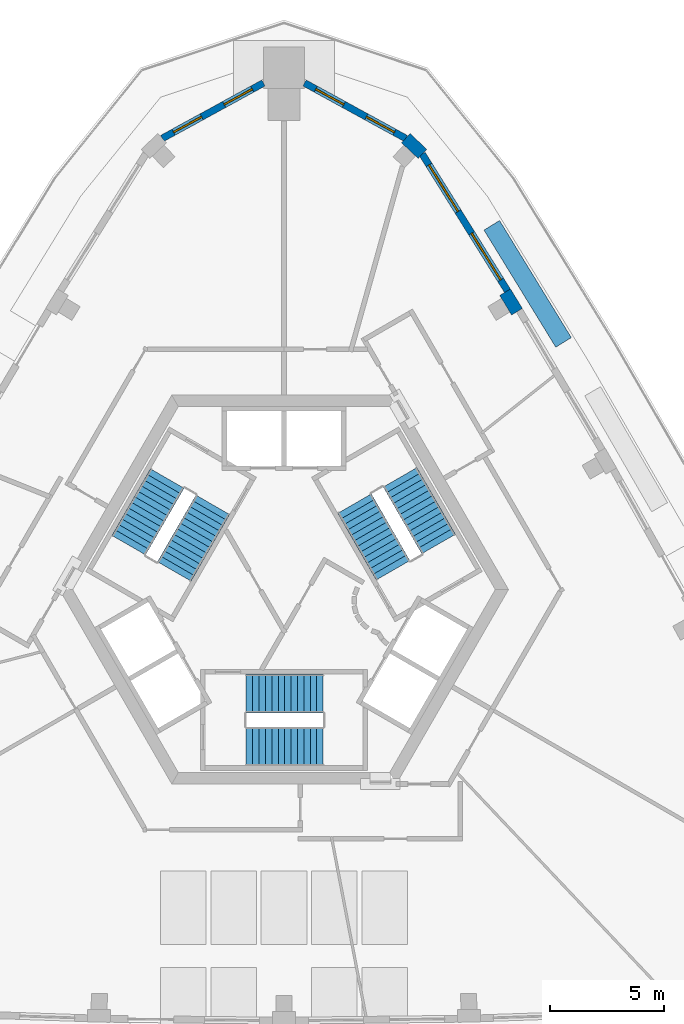
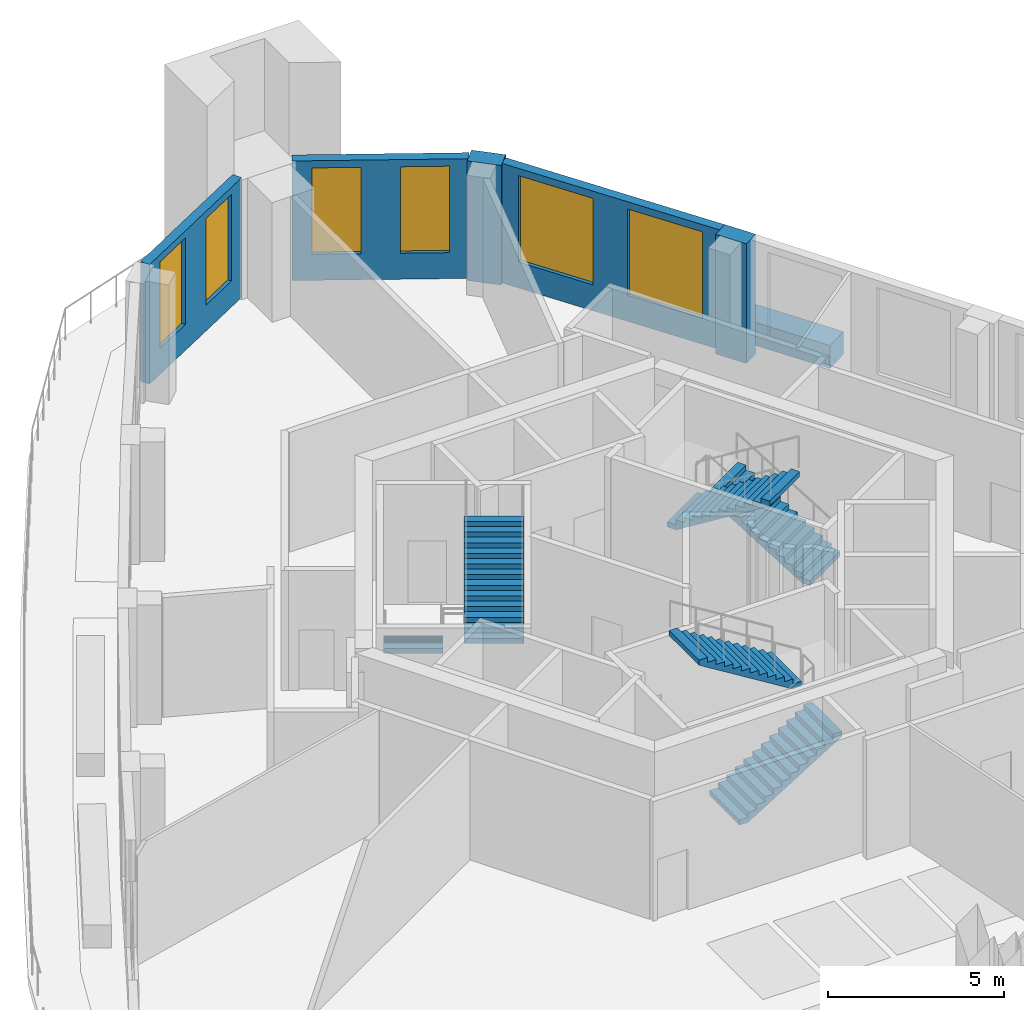
# One storey, part 6 of 9: 6 stair flights, 6 walls, 6 windows, 6 openings, 3 elements without a shape of their own.
"""IFC4 building model written with IfcOpenShell, lengths in metres."""

from ifc_helpers import new_model, si_unit, direction, frame, frame_2d, origin, place, context, subcontext, project, spatial, polyline, rectangle, outline, extrude, material, layer, layer_set, type_object, element, fill, aggregate, save


model = new_model("IFC4")

# Units and contexts
model_context = context("Model", 3, precision=1e-05, world=origin(), true_north=direction((0.0, 1.0)))
body_context = subcontext(model_context, "Body", "Model", "MODEL_VIEW")
ifc_project = project(units=[si_unit("LENGTHUNIT", "METRE"), si_unit("AREAUNIT", "SQUARE_METRE"), si_unit("VOLUMEUNIT", "CUBIC_METRE"), si_unit("PLANEANGLEUNIT", "RADIAN"), si_unit("MASSUNIT", "GRAM", prefix="KILO")], contexts=[model_context])

# Site, building, storey
site_placement = place(None, origin())
site = spatial("IfcSite", under=ifc_project, at=site_placement, CompositionType="ELEMENT")
building_placement = place(site_placement, origin())
building = spatial("IfcBuilding", under=site, at=building_placement, Name="Entoto Arch Interchange Tower", CompositionType="ELEMENT")
storey_placement = place(building_placement, frame((0.0, 0.0, 331.39990234375)))
storey = spatial("IfcBuildingStorey", under=building, at=storey_placement, Name="L78", CompositionType="ELEMENT", Elevation=331.39990234375)

# Wall
ifc_material_1 = material(Name="Board-marked precast concrete C50/60", Category="concrete")
ifc_layer_1 = layer(ifc_material_1, 0.800048828125)
ifc_layer_set_1 = layer_set([ifc_layer_1], Name="Board-marked precast concrete C50/60")
wall_type_1 = type_object("IfcWallType", Name="PLANTER RC 800 Vachellia abyssinica", PredefinedType="STANDARD", material=ifc_layer_set_1)
wall_1_placement = place(storey_placement, frame((12.221923828125, 13.306884765625, 0.0), z_axis=(0.0, 0.0, 1.0), x_axis=(-0.522728889832, 0.852498978143, 0.0)))
element("IfcWall", 1, at=wall_1_placement, inside=storey, type_object=wall_type_1, Name="Terrace planter NE-03 L78", PredefinedType="STANDARD", context=body_context, shape_type="SweptSolid", body=[
    extrude(rectangle(XDim=6.0048828125, YDim=0.800048828125, at=frame_2d((3.00244140625, 0.0))), origin(), (0.0, 0.0, 1.0), 0.800048828125),
])

# Wall, openings, windows
ifc_material_2 = material(Name="Welded tuff (ignimbrite) cladding, warm buff", Category="masonry")
ifc_layer_2 = layer(ifc_material_2, 0.300048828125)
ifc_layer_set_2 = layer_set([ifc_layer_2], Name="Welded tuff (ignimbrite) cladding, warm buff")
wall_type_2 = type_object("IfcWallType", Name="STONE INFILL WALL 300", PredefinedType="STANDARD", material=ifc_layer_set_2)
wall_2_placement = place(storey_placement, frame((9.76904296875, 15.56396484375, 0.0), z_axis=(0.0, 0.0, 1.0), x_axis=(-0.528920387505, 0.848671446251, 0.0)))
wall_2 = element("IfcWall", 2, at=wall_2_placement, inside=storey, type_object=wall_type_2, Name="Facade wall NE-04 L78", PredefinedType="STANDARD", context=body_context, shape_type="SweptSolid", body=[
    extrude(rectangle(XDim=7.042724609375, YDim=0.300048828125, at=frame_2d((3.521484375, 0.0))), origin(), (0.0, 0.0, 1.0), 4.150146484375),
])
opening_1_placement = place(wall_2_placement, frame((0.56103515625, 0.0, 0.89990234375)))
opening_1 = element("IfcOpeningElement", 3, at=opening_1_placement, cuts=wall_2, Name="Opening WK-A", PredefinedType="OPENING", context=body_context, shape_type="SweptSolid", body=[
    extrude(rectangle(XDim=2.39990234375, YDim=3.0, at=frame_2d((1.199951171875, 1.5))), frame((0.0, 0.16015625, 0.0), z_axis=(0.0, -1.0, 0.0), x_axis=(1.0, 0.0, 0.0)), (0.0, 0.0, 1.0), 0.320068359375),
])
opening_2_placement = place(wall_2_placement, frame((4.08203125, 0.0, 0.89990234375)))
opening_2 = element("IfcOpeningElement", 4, at=opening_2_placement, cuts=wall_2, Name="Opening WK-A", PredefinedType="OPENING", context=body_context, shape_type="SweptSolid", body=[
    extrude(rectangle(XDim=2.39990234375, YDim=3.0, at=frame_2d((1.199951171875, 1.5))), frame((0.0, 0.16015625, 0.0), z_axis=(0.0, -1.0, 0.0), x_axis=(1.0, 0.0, 0.0)), (0.0, 0.0, 1.0), 0.320068359375),
])
ifc_material_3 = material(Name="Clear glass, low-e double glazed", Category="glass")
window_type_1 = type_object("IfcWindowType", Name="WINDOW WK-A 2400x3000", PartitioningType="DOUBLE_PANEL_VERTICAL", PredefinedType="WINDOW", material=ifc_material_3)
window_1_placement = place(opening_1_placement, origin())
window_1 = element("IfcWindow", 5, at=window_1_placement, inside=storey, type_object=window_type_1, Name="Window WK-A NE-04 L78", OverallHeight=3.0, OverallWidth=2.39990234375, PartitioningType="SINGLE_PANEL", PredefinedType="WINDOW", context=body_context, shape_type="SweptSolid", body=[
    extrude(rectangle(XDim=2.39990234375, YDim=3.0, at=frame_2d((1.199951171875, 1.5))), frame((0.0, 0.030029296875, 0.0), z_axis=(0.0, -1.0, 0.0), x_axis=(1.0, 0.0, 0.0)), (0.0, 0.0, 1.0), 0.06005859375),
])
fill(opening_1, window_1)
window_2_placement = place(opening_2_placement, origin())
window_2 = element("IfcWindow", 6, at=window_2_placement, inside=storey, type_object=window_type_1, Name="Window WK-A NE-04 L78", OverallHeight=3.0, OverallWidth=2.39990234375, PartitioningType="SINGLE_PANEL", PredefinedType="WINDOW", context=body_context, shape_type="SweptSolid", body=[
    extrude(rectangle(XDim=2.39990234375, YDim=3.0, at=frame_2d((1.199951171875, 1.5))), frame((0.0, 0.030029296875, 0.0), z_axis=(0.0, -1.0, 0.0), x_axis=(1.0, 0.0, 0.0)), (0.0, 0.0, 1.0), 0.06005859375),
])
fill(opening_2, window_2)

wall_3_placement = place(storey_placement, frame((5.319091796875, 22.22705078125, 0.0), z_axis=(0.0, 0.0, 1.0), x_axis=(-0.877068569324, 0.480365199305, 0.0)))
wall_3 = element("IfcWall", 7, at=wall_3_placement, inside=storey, type_object=wall_type_2, Name="Facade wall N-01 L78", PredefinedType="STANDARD", context=body_context, shape_type="SweptSolid", body=[
    extrude(rectangle(XDim=5.039794921875, YDim=0.300048828125, at=frame_2d((2.52001953125, 0.0))), origin(), (0.0, 0.0, 1.0), 4.150146484375),
])
opening_3_placement = place(wall_3_placement, frame((0.56005859375, 0.0, 0.89990234375)))
opening_3 = element("IfcOpeningElement", 8, at=opening_3_placement, cuts=wall_3, Name="Opening WK-B", PredefinedType="OPENING", context=body_context, shape_type="SweptSolid", body=[
    extrude(rectangle(XDim=1.39990234375, YDim=3.0, at=frame_2d((0.699951171875, 1.5))), frame((0.0, 0.16015625, 0.0), z_axis=(0.0, -1.0, 0.0), x_axis=(1.0, 0.0, 0.0)), (0.0, 0.0, 1.0), 0.320068359375),
])
opening_4_placement = place(wall_3_placement, frame((3.080078125, 0.0, 0.89990234375)))
opening_4 = element("IfcOpeningElement", 9, at=opening_4_placement, cuts=wall_3, Name="Opening WK-B", PredefinedType="OPENING", context=body_context, shape_type="SweptSolid", body=[
    extrude(rectangle(XDim=1.39990234375, YDim=3.0, at=frame_2d((0.699951171875, 1.5))), frame((0.0, 0.16015625, 0.0), z_axis=(0.0, -1.0, 0.0), x_axis=(1.0, 0.0, 0.0)), (0.0, 0.0, 1.0), 0.320068359375),
])
window_type_2 = type_object("IfcWindowType", Name="WINDOW WK-B 1400x3000", PartitioningType="DOUBLE_PANEL_VERTICAL", PredefinedType="WINDOW", material=ifc_material_3)
window_3_placement = place(opening_3_placement, origin())
window_3 = element("IfcWindow", 10, at=window_3_placement, inside=storey, type_object=window_type_2, Name="Window WK-B N-01 L78", OverallHeight=3.0, OverallWidth=1.39990234375, PartitioningType="SINGLE_PANEL", PredefinedType="WINDOW", context=body_context, shape_type="SweptSolid", body=[
    extrude(rectangle(XDim=1.39990234375, YDim=3.0, at=frame_2d((0.699951171875, 1.5))), frame((0.0, 0.030029296875, 0.0), z_axis=(0.0, -1.0, 0.0), x_axis=(1.0, 0.0, 0.0)), (0.0, 0.0, 1.0), 0.06005859375),
])
fill(opening_3, window_3)
window_4_placement = place(opening_4_placement, origin())
window_4 = element("IfcWindow", 11, at=window_4_placement, inside=storey, type_object=window_type_2, Name="Window WK-B N-01 L78", OverallHeight=3.0, OverallWidth=1.39990234375, PartitioningType="SINGLE_PANEL", PredefinedType="WINDOW", context=body_context, shape_type="SweptSolid", body=[
    extrude(rectangle(XDim=1.39990234375, YDim=3.0, at=frame_2d((0.699951171875, 1.5))), frame((0.0, 0.030029296875, 0.0), z_axis=(0.0, -1.0, 0.0), x_axis=(1.0, 0.0, 0.0)), (0.0, 0.0, 1.0), 0.06005859375),
])
fill(opening_4, window_4)

wall_4_placement = place(storey_placement, frame((-0.89892578125, 24.64794921875, 0.0), z_axis=(0.0, 0.0, 1.0), x_axis=(-0.877068569324, -0.480365199305, 0.0)))
wall_4 = element("IfcWall", 12, at=wall_4_placement, inside=storey, type_object=wall_type_2, Name="Facade wall N-02 L78", PredefinedType="STANDARD", context=body_context, shape_type="SweptSolid", body=[
    extrude(rectangle(XDim=5.039794921875, YDim=0.300048828125, at=frame_2d((2.52001953125, 0.0))), origin(), (0.0, 0.0, 1.0), 4.150146484375),
])
opening_5_placement = place(wall_4_placement, frame((0.56005859375, 0.0, 0.89990234375)))
opening_5 = element("IfcOpeningElement", 13, at=opening_5_placement, cuts=wall_4, Name="Opening WK-B", PredefinedType="OPENING", context=body_context, shape_type="SweptSolid", body=[
    extrude(rectangle(XDim=1.39990234375, YDim=3.0, at=frame_2d((0.699951171875, 1.5))), frame((0.0, 0.16015625, 0.0), z_axis=(0.0, -1.0, 0.0), x_axis=(1.0, 0.0, 0.0)), (0.0, 0.0, 1.0), 0.320068359375),
])
opening_6_placement = place(wall_4_placement, frame((3.080078125, 0.0, 0.89990234375)))
opening_6 = element("IfcOpeningElement", 14, at=opening_6_placement, cuts=wall_4, Name="Opening WK-B", PredefinedType="OPENING", context=body_context, shape_type="SweptSolid", body=[
    extrude(rectangle(XDim=1.39990234375, YDim=3.0, at=frame_2d((0.699951171875, 1.5))), frame((0.0, 0.16015625, 0.0), z_axis=(0.0, -1.0, 0.0), x_axis=(1.0, 0.0, 0.0)), (0.0, 0.0, 1.0), 0.320068359375),
])
window_5_placement = place(opening_5_placement, origin())
window_5 = element("IfcWindow", 15, at=window_5_placement, inside=storey, type_object=window_type_2, Name="Window WK-B N-02 L78", OverallHeight=3.0, OverallWidth=1.39990234375, PartitioningType="SINGLE_PANEL", PredefinedType="WINDOW", context=body_context, shape_type="SweptSolid", body=[
    extrude(rectangle(XDim=1.39990234375, YDim=3.0, at=frame_2d((0.699951171875, 1.5))), frame((0.0, 0.030029296875, 0.0), z_axis=(0.0, -1.0, 0.0), x_axis=(1.0, 0.0, 0.0)), (0.0, 0.0, 1.0), 0.06005859375),
])
fill(opening_5, window_5)
window_6_placement = place(opening_6_placement, origin())
window_6 = element("IfcWindow", 16, at=window_6_placement, inside=storey, type_object=window_type_2, Name="Window WK-B N-02 L78", OverallHeight=3.0, OverallWidth=1.39990234375, PartitioningType="SINGLE_PANEL", PredefinedType="WINDOW", context=body_context, shape_type="SweptSolid", body=[
    extrude(rectangle(XDim=1.39990234375, YDim=3.0, at=frame_2d((0.699951171875, 1.5))), frame((0.0, 0.030029296875, 0.0), z_axis=(0.0, -1.0, 0.0), x_axis=(1.0, 0.0, 0.0)), (0.0, 0.0, 1.0), 0.06005859375),
])
fill(opening_6, window_6)

# Walls
ifc_layer_3 = layer(ifc_material_2, 0.550048828125)
ifc_layer_set_3 = layer_set([ifc_layer_3], Name="Welded tuff (ignimbrite) cladding, warm buff")
wall_type_3 = type_object("IfcWallType", Name="STONE PIER CLADDING 550", PredefinedType="STANDARD", material=ifc_layer_set_3)
wall_5_placement = place(storey_placement, frame((10.18603515625, 14.64794921875, 0.0), z_axis=(0.0, 0.0, 1.0), x_axis=(-0.520086370604, 0.854113673414, 0.0)))
element("IfcWall", 17, at=wall_5_placement, inside=storey, type_object=wall_type_3, Name="Stone pier NE04 L78", PredefinedType="STANDARD", context=body_context, shape_type="SweptSolid", body=[
    extrude(rectangle(XDim=0.999755859375, YDim=0.550048828125, at=frame_2d((0.5, 0.0))), origin(), (0.0, 0.0, 1.0), 4.150146484375),
])
wall_6_placement = place(storey_placement, frame((6.052001953125, 21.549072265625, 0.0), z_axis=(0.0, 0.0, 1.0), x_axis=(-0.726376136967, 0.687297393888, 0.0)))
element("IfcWall", 18, at=wall_6_placement, inside=storey, type_object=wall_type_3, Name="Stone pier NE05 L78", PredefinedType="STANDARD", context=body_context, shape_type="SweptSolid", body=[
    extrude(rectangle(XDim=0.99951171875, YDim=0.550048828125, at=frame_2d((0.499755859375, 0.0))), origin(), (0.0, 0.0, 1.0), 4.150146484375),
])

# Stair, stair flights
ifc_material_4 = material(Name="Concrete C40/50", Category="concrete")
stair_type = type_object("IfcStairType", Name="EXIT STAIR RC 1700", PredefinedType="HALF_TURN_STAIR", material=ifc_material_4)
stair_1_placement = place(storey_placement, origin())
stair_1 = element("IfcStair", 19, at=stair_1_placement, inside=storey, type_object=stair_type, Name="L78 Exit stair S", PredefinedType="HALF_TURN_STAIR")
stair_flight_type = type_object("IfcStairFlightType", Name="EXIT STAIR FLIGHT RC 1700", PredefinedType="STRAIGHT", material=ifc_material_4)
stair_flight_1_placement = place(storey_placement, frame((-1.64990234375, -4.35009765625, 0.0), z_axis=(0.0, 0.0, 1.0), x_axis=(1.0, 0.0, 0.0)))
stair_flight_1 = element("IfcStairFlight", 20, at=stair_flight_1_placement, type_object=stair_flight_type, Name="ST-S flight 1", NumberOfRisers=13, NumberOfTreads=12, PredefinedType="STRAIGHT", RiserHeight=0.173076923, TreadLength=0.28, context=body_context, shape_type="SweptSolid", body=[
    extrude(outline(polyline([(-0.0029296875, 0.0), (-0.0029296875, 0.173095703125), (0.280029296875, 0.173095703125), (0.280029296875, 0.34619140625), (0.56005859375, 0.34619140625), (0.56005859375, 0.519287109375), (0.840087890625, 0.519287109375), (0.840087890625, 0.6923828125), (1.1201171875, 0.6923828125), (1.1201171875, 0.865478515625), (1.39990234375, 0.865478515625), (1.39990234375, 1.03857421875), (1.679931640625, 1.03857421875), (1.679931640625, 1.21142578125), (1.9599609375, 1.21142578125), (1.9599609375, 1.384521484375), (2.239990234375, 1.384521484375), (2.239990234375, 1.5576171875), (2.52001953125, 1.5576171875), (2.52001953125, 1.730712890625), (2.800048828125, 1.730712890625), (2.800048828125, 1.90380859375), (3.080078125, 1.90380859375), (3.080078125, 2.076904296875), (3.360107421875, 2.076904296875), (3.363037109375, 2.076904296875), (3.363037109375, 1.902587890625), (0.28515625, 0.0), (-0.0029296875, 0.0)])), frame((0.0, 0.85009765625, 0.0), z_axis=(0.0, -1.0, 0.0), x_axis=(1.0, 0.0, 0.0)), (0.0, 0.0, 1.0), 1.699951171875),
])
stair_flight_2_placement = place(storey_placement, frame((1.7099609375, -2.050048828125, 2.25), z_axis=(0.0, 0.0, 1.0), x_axis=(-1.0, 0.0, 0.0)))
stair_flight_2 = element("IfcStairFlight", 21, at=stair_flight_2_placement, type_object=stair_flight_type, Name="ST-S flight 2", NumberOfRisers=13, NumberOfTreads=12, PredefinedType="STRAIGHT", RiserHeight=0.173076923, TreadLength=0.28, context=body_context, shape_type="SweptSolid", body=[
    extrude(outline(polyline([(-0.0029296875, 0.0), (-0.0029296875, 0.173095703125), (0.280029296875, 0.173095703125), (0.280029296875, 0.34619140625), (0.56005859375, 0.34619140625), (0.56005859375, 0.519287109375), (0.840087890625, 0.519287109375), (0.840087890625, 0.6923828125), (1.1201171875, 0.6923828125), (1.1201171875, 0.865478515625), (1.39990234375, 0.865478515625), (1.39990234375, 1.03857421875), (1.679931640625, 1.03857421875), (1.679931640625, 1.21142578125), (1.9599609375, 1.21142578125), (1.9599609375, 1.384521484375), (2.239990234375, 1.384521484375), (2.239990234375, 1.5576171875), (2.52001953125, 1.5576171875), (2.52001953125, 1.730712890625), (2.800048828125, 1.730712890625), (2.800048828125, 1.90380859375), (3.080078125, 1.90380859375), (3.080078125, 2.076904296875), (3.360107421875, 2.076904296875), (3.363037109375, 2.076904296875), (3.363037109375, 1.902587890625), (0.28515625, 0.0), (-0.0029296875, 0.0)])), frame((0.0, 0.85009765625, 0.0), z_axis=(0.0, -1.0, 0.0), x_axis=(1.0, 0.0, 0.0)), (0.0, 0.0, 1.0), 1.699951171875),
])
aggregate(stair_1, [stair_flight_1, stair_flight_2])

stair_2_placement = place(storey_placement, origin())
stair_2 = element("IfcStair", 22, at=stair_2_placement, inside=storey, type_object=stair_type, Name="L78 Exit stair NE", PredefinedType="HALF_TURN_STAIR")
stair_flight_3_placement = place(storey_placement, frame((6.75732421875, 4.49609375, 0.0), z_axis=(0.0, 0.0, 1.0), x_axis=(-0.5, 0.866025403784, 0.0)))
stair_flight_3 = element("IfcStairFlight", 23, at=stair_flight_3_placement, type_object=stair_flight_type, Name="ST-NE flight 1", NumberOfRisers=13, NumberOfTreads=12, PredefinedType="STRAIGHT", RiserHeight=0.173076923, TreadLength=0.28, context=body_context, shape_type="SweptSolid", body=[
    extrude(outline(polyline([(-0.0029296875, 0.0), (-0.0029296875, 0.173095703125), (0.280029296875, 0.173095703125), (0.280029296875, 0.34619140625), (0.56005859375, 0.34619140625), (0.56005859375, 0.519287109375), (0.840087890625, 0.519287109375), (0.840087890625, 0.6923828125), (1.1201171875, 0.6923828125), (1.1201171875, 0.865478515625), (1.39990234375, 0.865478515625), (1.39990234375, 1.03857421875), (1.679931640625, 1.03857421875), (1.679931640625, 1.21142578125), (1.9599609375, 1.21142578125), (1.9599609375, 1.384521484375), (2.239990234375, 1.384521484375), (2.239990234375, 1.5576171875), (2.52001953125, 1.5576171875), (2.52001953125, 1.730712890625), (2.800048828125, 1.730712890625), (2.800048828125, 1.90380859375), (3.080078125, 1.90380859375), (3.080078125, 2.076904296875), (3.360107421875, 2.076904296875), (3.363037109375, 2.076904296875), (3.363037109375, 1.902587890625), (0.28515625, 0.0), (-0.0029296875, 0.0)])), frame((0.0, 0.85009765625, 0.0), z_axis=(0.0, -1.0, 0.0), x_axis=(1.0, 0.0, 0.0)), (0.0, 0.0, 1.0), 1.699951171875),
])
stair_flight_4_placement = place(storey_placement, frame((3.08544921875, 6.255859375, 2.25), z_axis=(0.0, 0.0, 1.0), x_axis=(0.5, -0.866025403784, 0.0)))
stair_flight_4 = element("IfcStairFlight", 24, at=stair_flight_4_placement, type_object=stair_flight_type, Name="ST-NE flight 2", NumberOfRisers=13, NumberOfTreads=12, PredefinedType="STRAIGHT", RiserHeight=0.173076923, TreadLength=0.28, context=body_context, shape_type="SweptSolid", body=[
    extrude(outline(polyline([(-0.0029296875, 0.0), (-0.0029296875, 0.173095703125), (0.280029296875, 0.173095703125), (0.280029296875, 0.34619140625), (0.56005859375, 0.34619140625), (0.56005859375, 0.519287109375), (0.840087890625, 0.519287109375), (0.840087890625, 0.6923828125), (1.1201171875, 0.6923828125), (1.1201171875, 0.865478515625), (1.39990234375, 0.865478515625), (1.39990234375, 1.03857421875), (1.679931640625, 1.03857421875), (1.679931640625, 1.21142578125), (1.9599609375, 1.21142578125), (1.9599609375, 1.384521484375), (2.239990234375, 1.384521484375), (2.239990234375, 1.5576171875), (2.52001953125, 1.5576171875), (2.52001953125, 1.730712890625), (2.800048828125, 1.730712890625), (2.800048828125, 1.90380859375), (3.080078125, 1.90380859375), (3.080078125, 2.076904296875), (3.360107421875, 2.076904296875), (3.363037109375, 2.076904296875), (3.363037109375, 1.902587890625), (0.28515625, 0.0), (-0.0029296875, 0.0)])), frame((0.0, 0.85009765625, 0.0), z_axis=(0.0, -1.0, 0.0), x_axis=(1.0, 0.0, 0.0)), (0.0, 0.0, 1.0), 1.699951171875),
])
aggregate(stair_2, [stair_flight_3, stair_flight_4])

stair_3_placement = place(storey_placement, origin())
stair_3 = element("IfcStair", 25, at=stair_3_placement, inside=storey, type_object=stair_type, Name="L78 Exit stair NW", PredefinedType="HALF_TURN_STAIR")
stair_flight_5_placement = place(storey_placement, frame((-5.107177734375, 7.35400390625, 0.0), z_axis=(0.0, 0.0, 1.0), x_axis=(-0.5, -0.866025403784, 0.0)))
stair_flight_5 = element("IfcStairFlight", 26, at=stair_flight_5_placement, type_object=stair_flight_type, Name="ST-NW flight 1", NumberOfRisers=13, NumberOfTreads=12, PredefinedType="STRAIGHT", RiserHeight=0.173076923, TreadLength=0.28, context=body_context, shape_type="SweptSolid", body=[
    extrude(outline(polyline([(-0.0029296875, 0.0), (-0.0029296875, 0.173095703125), (0.280029296875, 0.173095703125), (0.280029296875, 0.34619140625), (0.56005859375, 0.34619140625), (0.56005859375, 0.519287109375), (0.840087890625, 0.519287109375), (0.840087890625, 0.6923828125), (1.1201171875, 0.6923828125), (1.1201171875, 0.865478515625), (1.39990234375, 0.865478515625), (1.39990234375, 1.03857421875), (1.679931640625, 1.03857421875), (1.679931640625, 1.21142578125), (1.9599609375, 1.21142578125), (1.9599609375, 1.384521484375), (2.239990234375, 1.384521484375), (2.239990234375, 1.5576171875), (2.52001953125, 1.5576171875), (2.52001953125, 1.730712890625), (2.800048828125, 1.730712890625), (2.800048828125, 1.90380859375), (3.080078125, 1.90380859375), (3.080078125, 2.076904296875), (3.360107421875, 2.076904296875), (3.363037109375, 2.076904296875), (3.363037109375, 1.902587890625), (0.28515625, 0.0), (-0.0029296875, 0.0)])), frame((0.0, 0.85009765625, 0.0), z_axis=(0.0, -1.0, 0.0), x_axis=(1.0, 0.0, 0.0)), (0.0, 0.0, 1.0), 1.699951171875),
])
stair_flight_6_placement = place(storey_placement, frame((-4.79541015625, 3.294189453125, 2.25), z_axis=(0.0, 0.0, 1.0), x_axis=(0.5, 0.866025403784, 0.0)))
stair_flight_6 = element("IfcStairFlight", 27, at=stair_flight_6_placement, type_object=stair_flight_type, Name="ST-NW flight 2", NumberOfRisers=13, NumberOfTreads=12, PredefinedType="STRAIGHT", RiserHeight=0.173076923, TreadLength=0.28, context=body_context, shape_type="SweptSolid", body=[
    extrude(outline(polyline([(-0.0029296875, 0.0), (-0.0029296875, 0.173095703125), (0.280029296875, 0.173095703125), (0.280029296875, 0.34619140625), (0.56005859375, 0.34619140625), (0.56005859375, 0.519287109375), (0.840087890625, 0.519287109375), (0.840087890625, 0.6923828125), (1.1201171875, 0.6923828125), (1.1201171875, 0.865478515625), (1.39990234375, 0.865478515625), (1.39990234375, 1.03857421875), (1.679931640625, 1.03857421875), (1.679931640625, 1.21142578125), (1.9599609375, 1.21142578125), (1.9599609375, 1.384521484375), (2.239990234375, 1.384521484375), (2.239990234375, 1.5576171875), (2.52001953125, 1.5576171875), (2.52001953125, 1.730712890625), (2.800048828125, 1.730712890625), (2.800048828125, 1.90380859375), (3.080078125, 1.90380859375), (3.080078125, 2.076904296875), (3.360107421875, 2.076904296875), (3.363037109375, 2.076904296875), (3.363037109375, 1.902587890625), (0.28515625, 0.0), (-0.0029296875, 0.0)])), frame((0.0, 0.85009765625, 0.0), z_axis=(0.0, -1.0, 0.0), x_axis=(1.0, 0.0, 0.0)), (0.0, 0.0, 1.0), 1.699951171875),
])
aggregate(stair_3, [stair_flight_5, stair_flight_6])

save(model, "model.ifc")
